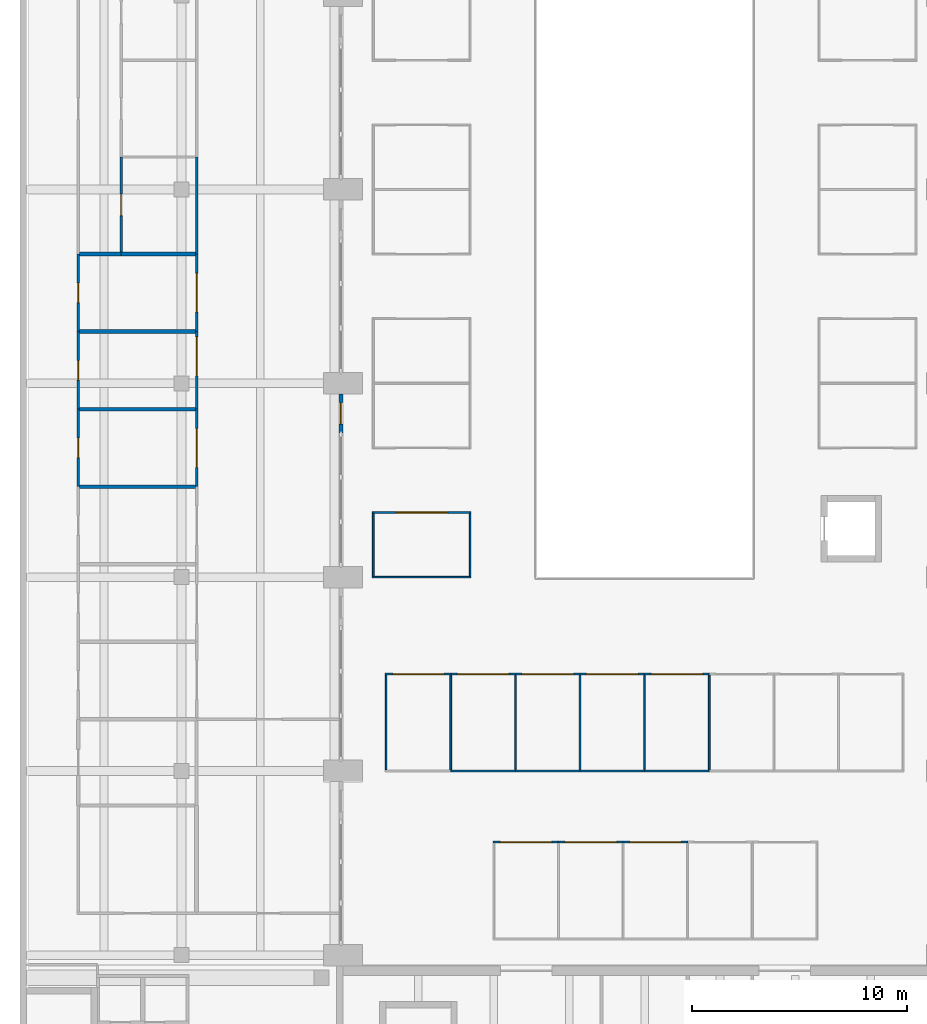
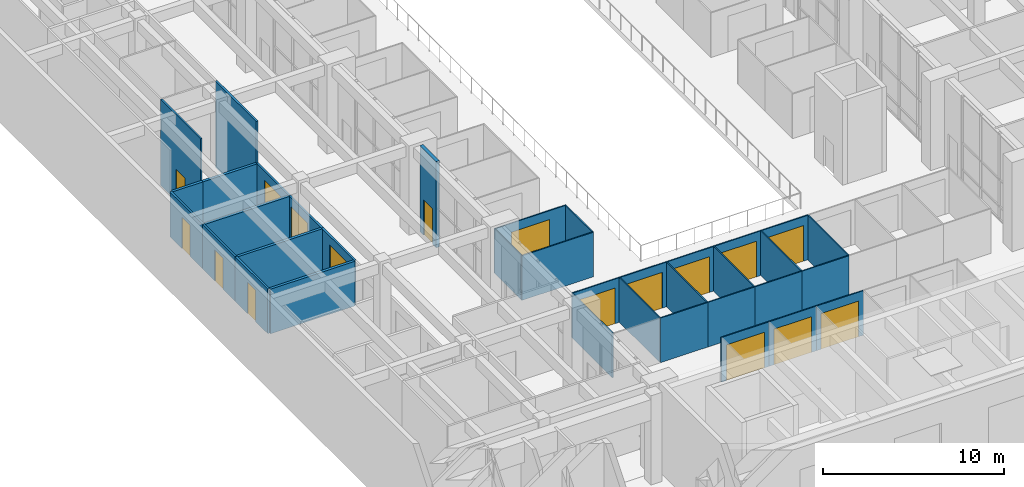
# One storey, part 31 of 51: 36 walls, 17 doors, 17 openings.
"""IFC4 building model written with IfcOpenShell, lengths in metres."""

from ifc_helpers import new_model, si_unit, direction, frame, frame_2d, origin, place, context, subcontext, project, spatial, rectangle, extrude, material, layer, layer_set, type_object, element, fill, save


model = new_model("IFC4")

# Units and contexts
model_context = context("Model", 3, precision=1e-05, world=origin(), true_north=direction((0.0, 1.0)))
body_context = subcontext(model_context, "Body", "Model", "MODEL_VIEW")
ifc_project = project(units=[si_unit("LENGTHUNIT", "METRE"), si_unit("AREAUNIT", "SQUARE_METRE"), si_unit("VOLUMEUNIT", "CUBIC_METRE"), si_unit("PLANEANGLEUNIT", "RADIAN"), si_unit("MASSUNIT", "GRAM", prefix="KILO")], contexts=[model_context])

# Site, building, storey
site_placement = place(None, origin())
site = spatial("IfcSite", under=ifc_project, at=site_placement, CompositionType="ELEMENT")
building_placement = place(site_placement, origin())
building = spatial("IfcBuilding", under=site, at=building_placement, Name="Elmora Arch Market Hall", CompositionType="ELEMENT")
storey_placement = place(building_placement, origin())
storey = spatial("IfcBuildingStorey", under=building, at=storey_placement, Name="L00", CompositionType="ELEMENT", Elevation=0.0)

# Wall, opening, door
ifc_material_1 = material(Name="Concrete C40/50", Category="concrete")
ifc_layer_1 = layer(ifc_material_1, 0.199951171875)
ifc_layer_set_1 = layer_set([ifc_layer_1], Name="Concrete C40/50")
wall_type_1 = type_object("IfcWallType", Name="Concrete shopfront pier 200", PredefinedType="PARTITIONING", material=ifc_layer_set_1)
wall_1_placement = place(storey_placement, frame((14.89990234375, 53.5, 0.0), z_axis=(0.0, 0.0, 1.0), x_axis=(0.0, -1.0, 0.0)))
wall_1 = element("IfcWall", 1, at=wall_1_placement, inside=storey, type_object=wall_type_1, Name="Shopfront pier W 3", PredefinedType="PARTITIONING", context=body_context, shape_type="SweptSolid", body=[
    extrude(rectangle(XDim=1.800048828125, YDim=0.199951171875, at=frame_2d((0.89990234375, 0.0))), origin(), (0.0, 0.0, 1.0), 5.800048828125),
])
opening_1_placement = place(wall_1_placement, frame((0.39990234375, 0.0, 0.0)))
opening_1 = element("IfcOpeningElement", 2, at=opening_1_placement, cuts=wall_1, Name="Opening SD-W03", PredefinedType="OPENING", context=body_context, shape_type="SweptSolid", body=[
    extrude(rectangle(XDim=1.0, YDim=2.39990234375, at=frame_2d((0.5, 1.199951171875))), frame((0.0, 0.10986328125, 0.0), z_axis=(0.0, -1.0, 0.0), x_axis=(1.0, 0.0, 0.0)), (0.0, 0.0, 1.0), 0.219970703125),
])
ifc_material_2 = material(Name="Glazed aluminium", Category="aluminium")
door_type_1 = type_object("IfcDoorType", Name="Shop door 1000x2400", OperationType="SINGLE_SWING_LEFT", PredefinedType="DOOR", material=ifc_material_2)
door_1_placement = place(opening_1_placement, frame((1.0, 0.0, 0.0), z_axis=(0.0, 0.0, 1.0), x_axis=(-1.0, 0.0, 0.0)))
door_1 = element("IfcDoor", 3, at=door_1_placement, inside=storey, type_object=door_type_1, Name="Shop door W03", OperationType="SINGLE_SWING_RIGHT", OverallHeight=2.39990234375, OverallWidth=1.0, PredefinedType="DOOR", context=body_context, shape_type="SweptSolid", body=[
    extrude(rectangle(XDim=1.0, YDim=2.39990234375, at=frame_2d((0.5, 1.199951171875))), frame((0.0, 0.02490234375, 0.0), z_axis=(0.0, -1.0, 0.0), x_axis=(1.0, 0.0, 0.0)), (0.0, 0.0, 1.0), 0.050048828125),
])
fill(opening_1, door_1)

ifc_material_3 = material(Name="Gypsum board on metal studs")
ifc_layer_2 = layer(ifc_material_3, 0.125)
ifc_layer_set_2 = layer_set([ifc_layer_2], Name="Gypsum board on metal studs")
wall_type_2 = type_object("IfcWallType", Name="Enclosure partition 125 (3.0 m) EI 60", PredefinedType="PARTITIONING", material=ifc_layer_set_2)
wall_2_placement = place(storey_placement, frame((2.699951171875, 49.199951171875, 0.0), z_axis=(0.0, 0.0, 1.0), x_axis=(0.0, 1.0, 0.0)))
wall_2 = element("IfcWall", 4, at=wall_2_placement, inside=storey, type_object=wall_type_2, Name="Partition PT-L00-135", PredefinedType="PARTITIONING", context=body_context, shape_type="SweptSolid", body=[
    extrude(rectangle(XDim=3.60009765625, YDim=0.125, at=frame_2d((1.800048828125, 0.0))), origin(), (0.0, 0.0, 1.0), 3.0),
])
opening_2_placement = place(wall_2_placement, frame((1.35009765625, 0.0, 0.0)))
opening_2 = element("IfcOpeningElement", 5, at=opening_2_placement, cuts=wall_2, Name="Opening D-L00-035", PredefinedType="OPENING", context=body_context, shape_type="SweptSolid", body=[
    extrude(rectangle(XDim=0.89990234375, YDim=2.10009765625, at=frame_2d((0.449951171875, 1.050048828125))), frame((0.0, 0.072509765625, 0.0), z_axis=(0.0, -1.0, 0.0), x_axis=(1.0, 0.0, 0.0)), (0.0, 0.0, 1.0), 0.14501953125),
])
ifc_material_4 = material(Name="Steel ASTM A653 galvanised", Category="steel")
door_type_2 = type_object("IfcDoorType", Name="Door 900 x 2100 FD45", OperationType="SINGLE_SWING_LEFT", PredefinedType="DOOR", material=ifc_material_4)
door_2_placement = place(opening_2_placement, frame((0.89990234375, 0.0, 0.0), z_axis=(0.0, 0.0, 1.0), x_axis=(-1.0, 0.0, 0.0)))
door_2 = element("IfcDoor", 6, at=door_2_placement, inside=storey, type_object=door_type_2, Name="D-L00-035", OperationType="SINGLE_SWING_RIGHT", OverallHeight=2.10009765625, OverallWidth=0.89990234375, PredefinedType="DOOR", context=body_context, shape_type="SweptSolid", body=[
    extrude(rectangle(XDim=0.89990234375, YDim=2.10009765625, at=frame_2d((0.449951171875, 1.050048828125))), frame((0.0, 0.02490234375, 0.0), z_axis=(0.0, -1.0, 0.0), x_axis=(1.0, 0.0, 0.0)), (0.0, 0.0, 1.0), 0.050048828125),
])
fill(opening_2, door_2)

wall_3_placement = place(storey_placement, frame((2.699951171875, 52.800048828125, 0.0), z_axis=(0.0, 0.0, 1.0), x_axis=(0.0, 1.0, 0.0)))
wall_3 = element("IfcWall", 7, at=wall_3_placement, inside=storey, type_object=wall_type_2, Name="Partition PT-L00-136", PredefinedType="PARTITIONING", context=body_context, shape_type="SweptSolid", body=[
    extrude(rectangle(XDim=3.599853515625, YDim=0.125, at=frame_2d((1.7998046875, 0.0))), origin(), (0.0, 0.0, 1.0), 3.0),
])
opening_3_placement = place(wall_3_placement, frame((1.35009765625, 0.0, 0.0)))
opening_3 = element("IfcOpeningElement", 8, at=opening_3_placement, cuts=wall_3, Name="Opening D-L00-040", PredefinedType="OPENING", context=body_context, shape_type="SweptSolid", body=[
    extrude(rectangle(XDim=0.89990234375, YDim=2.10009765625, at=frame_2d((0.449951171875, 1.050048828125))), frame((0.0, 0.072509765625, 0.0), z_axis=(0.0, -1.0, 0.0), x_axis=(1.0, 0.0, 0.0)), (0.0, 0.0, 1.0), 0.14501953125),
])
door_3_placement = place(opening_3_placement, frame((0.89990234375, 0.0, 0.0), z_axis=(0.0, 0.0, 1.0), x_axis=(-1.0, 0.0, 0.0)))
door_3 = element("IfcDoor", 9, at=door_3_placement, inside=storey, type_object=door_type_2, Name="D-L00-040", OperationType="SINGLE_SWING_RIGHT", OverallHeight=2.10009765625, OverallWidth=0.89990234375, PredefinedType="DOOR", context=body_context, shape_type="SweptSolid", body=[
    extrude(rectangle(XDim=0.89990234375, YDim=2.10009765625, at=frame_2d((0.449951171875, 1.050048828125))), frame((0.0, 0.02490234375, 0.0), z_axis=(0.0, -1.0, 0.0), x_axis=(1.0, 0.0, 0.0)), (0.0, 0.0, 1.0), 0.050048828125),
])
fill(opening_3, door_3)

wall_4_placement = place(storey_placement, frame((2.699951171875, 56.39990234375, 0.0), z_axis=(0.0, 0.0, 1.0), x_axis=(0.0, 1.0, 0.0)))
wall_4 = element("IfcWall", 10, at=wall_4_placement, inside=storey, type_object=wall_type_2, Name="Partition PT-L00-137", PredefinedType="PARTITIONING", context=body_context, shape_type="SweptSolid", body=[
    extrude(rectangle(XDim=3.60009765625, YDim=0.125, at=frame_2d((1.800048828125, 0.0))), origin(), (0.0, 0.0, 1.0), 3.0),
])
opening_4_placement = place(wall_4_placement, frame((1.35009765625, 0.0, 0.0)))
opening_4 = element("IfcOpeningElement", 11, at=opening_4_placement, cuts=wall_4, Name="Opening D-L00-044", PredefinedType="OPENING", context=body_context, shape_type="SweptSolid", body=[
    extrude(rectangle(XDim=0.89990234375, YDim=2.10009765625, at=frame_2d((0.449951171875, 1.050048828125))), frame((0.0, 0.072509765625, 0.0), z_axis=(0.0, -1.0, 0.0), x_axis=(1.0, 0.0, 0.0)), (0.0, 0.0, 1.0), 0.14501953125),
])
door_4_placement = place(opening_4_placement, frame((0.89990234375, 0.0, 0.0), z_axis=(0.0, 0.0, 1.0), x_axis=(-1.0, 0.0, 0.0)))
door_4 = element("IfcDoor", 12, at=door_4_placement, inside=storey, type_object=door_type_2, Name="D-L00-044", OperationType="SINGLE_SWING_RIGHT", OverallHeight=2.10009765625, OverallWidth=0.89990234375, PredefinedType="DOOR", context=body_context, shape_type="SweptSolid", body=[
    extrude(rectangle(XDim=0.89990234375, YDim=2.10009765625, at=frame_2d((0.449951171875, 1.050048828125))), frame((0.0, 0.02490234375, 0.0), z_axis=(0.0, -1.0, 0.0), x_axis=(1.0, 0.0, 0.0)), (0.0, 0.0, 1.0), 0.050048828125),
])
fill(opening_4, door_4)

wall_5_placement = place(storey_placement, frame((8.199951171875, 49.199951171875, 0.0), z_axis=(0.0, 0.0, 1.0), x_axis=(0.0, 1.0, 0.0)))
wall_5 = element("IfcWall", 13, at=wall_5_placement, inside=storey, type_object=wall_type_2, Name="Partition PT-L00-154", PredefinedType="PARTITIONING", context=body_context, shape_type="SweptSolid", body=[
    extrude(rectangle(XDim=3.60009765625, YDim=0.125, at=frame_2d((1.800048828125, 0.0))), origin(), (0.0, 0.0, 1.0), 3.0),
])
opening_5_placement = place(wall_5_placement, frame((0.89990234375, 0.0, 0.0)))
opening_5 = element("IfcOpeningElement", 14, at=opening_5_placement, cuts=wall_5, Name="Opening D-L00-036", PredefinedType="OPENING", context=body_context, shape_type="SweptSolid", body=[
    extrude(rectangle(XDim=1.800048828125, YDim=2.39990234375, at=frame_2d((0.89990234375, 1.199951171875))), frame((0.0, 0.072509765625, 0.0), z_axis=(0.0, -1.0, 0.0), x_axis=(1.0, 0.0, 0.0)), (0.0, 0.0, 1.0), 0.14501953125),
])
ifc_material_5 = material(Name="Aluminium roller shutter", Category="aluminium")
door_type_3 = type_object("IfcDoorType", Name="Roller shutter 1800 x 2400", OperationType="ROLLINGUP", PredefinedType="DOOR", material=ifc_material_5)
door_5_placement = place(opening_5_placement, origin())
door_5 = element("IfcDoor", 15, at=door_5_placement, inside=storey, type_object=door_type_3, Name="D-L00-036", OperationType="ROLLINGUP", OverallHeight=2.39990234375, OverallWidth=1.800048828125, PredefinedType="DOOR", context=body_context, shape_type="SweptSolid", body=[
    extrude(rectangle(XDim=1.800048828125, YDim=2.39990234375, at=frame_2d((0.89990234375, 1.199951171875))), frame((0.0, 0.02490234375, 0.0), z_axis=(0.0, -1.0, 0.0), x_axis=(1.0, 0.0, 0.0)), (0.0, 0.0, 1.0), 0.050048828125),
])
fill(opening_5, door_5)

wall_6_placement = place(storey_placement, frame((8.199951171875, 52.800048828125, 0.0), z_axis=(0.0, 0.0, 1.0), x_axis=(0.0, 1.0, 0.0)))
wall_6 = element("IfcWall", 16, at=wall_6_placement, inside=storey, type_object=wall_type_2, Name="Partition PT-L00-155", PredefinedType="PARTITIONING", context=body_context, shape_type="SweptSolid", body=[
    extrude(rectangle(XDim=3.599853515625, YDim=0.125, at=frame_2d((1.7998046875, 0.0))), origin(), (0.0, 0.0, 1.0), 3.0),
])
opening_6_placement = place(wall_6_placement, frame((1.550048828125, 0.0, 0.0)))
opening_6 = element("IfcOpeningElement", 17, at=opening_6_placement, cuts=wall_6, Name="Opening D-L00-041", PredefinedType="OPENING", context=body_context, shape_type="SweptSolid", body=[
    extrude(rectangle(XDim=1.800048828125, YDim=2.39990234375, at=frame_2d((0.89990234375, 1.199951171875))), frame((0.0, 0.072509765625, 0.0), z_axis=(0.0, -1.0, 0.0), x_axis=(1.0, 0.0, 0.0)), (0.0, 0.0, 1.0), 0.14501953125),
])
door_6_placement = place(opening_6_placement, origin())
door_6 = element("IfcDoor", 18, at=door_6_placement, inside=storey, type_object=door_type_3, Name="D-L00-041", OperationType="ROLLINGUP", OverallHeight=2.39990234375, OverallWidth=1.800048828125, PredefinedType="DOOR", context=body_context, shape_type="SweptSolid", body=[
    extrude(rectangle(XDim=1.800048828125, YDim=2.39990234375, at=frame_2d((0.89990234375, 1.199951171875))), frame((0.0, 0.02490234375, 0.0), z_axis=(0.0, -1.0, 0.0), x_axis=(1.0, 0.0, 0.0)), (0.0, 0.0, 1.0), 0.050048828125),
])
fill(opening_6, door_6)

wall_7_placement = place(storey_placement, frame((8.199951171875, 56.39990234375, 0.0), z_axis=(0.0, 0.0, 1.0), x_axis=(0.0, 1.0, 0.0)))
wall_7 = element("IfcWall", 19, at=wall_7_placement, inside=storey, type_object=wall_type_2, Name="Partition PT-L00-156", PredefinedType="PARTITIONING", context=body_context, shape_type="SweptSolid", body=[
    extrude(rectangle(XDim=3.60009765625, YDim=0.125, at=frame_2d((1.800048828125, 0.0))), origin(), (0.0, 0.0, 1.0), 3.0),
])
opening_7_placement = place(wall_7_placement, frame((0.89990234375, 0.0, 0.0)))
opening_7 = element("IfcOpeningElement", 20, at=opening_7_placement, cuts=wall_7, Name="Opening D-L00-045", PredefinedType="OPENING", context=body_context, shape_type="SweptSolid", body=[
    extrude(rectangle(XDim=1.800048828125, YDim=2.39990234375, at=frame_2d((0.89990234375, 1.199951171875))), frame((0.0, 0.072509765625, 0.0), z_axis=(0.0, -1.0, 0.0), x_axis=(1.0, 0.0, 0.0)), (0.0, 0.0, 1.0), 0.14501953125),
])
door_7_placement = place(opening_7_placement, origin())
door_7 = element("IfcDoor", 21, at=door_7_placement, inside=storey, type_object=door_type_3, Name="D-L00-045", OperationType="ROLLINGUP", OverallHeight=2.39990234375, OverallWidth=1.800048828125, PredefinedType="DOOR", context=body_context, shape_type="SweptSolid", body=[
    extrude(rectangle(XDim=1.800048828125, YDim=2.39990234375, at=frame_2d((0.89990234375, 1.199951171875))), frame((0.0, 0.02490234375, 0.0), z_axis=(0.0, -1.0, 0.0), x_axis=(1.0, 0.0, 0.0)), (0.0, 0.0, 1.0), 0.050048828125),
])
fill(opening_7, door_7)

# Walls
ifc_material_6 = material(Name="Gypsum board on metal studs")
ifc_layer_3 = layer(ifc_material_6, 0.175048828125)
ifc_layer_set_3 = layer_set([ifc_layer_3], Name="Gypsum board on metal studs")
wall_type_3 = type_object("IfcWallType", Name="Enclosure partition 175 (3.0 m) EI 60", PredefinedType="PARTITIONING", material=ifc_layer_set_3)
for number, where, z_axis, x_axis, name in (
    (22, (2.762451171875, 49.199951171875, 0.0), (0.0, 0.0, 1.0), (1.0, 0.0, 0.0), "Partition PT-L00-044"),
    (23, (2.762451171875, 52.800048828125, 0.0), (0.0, 0.0, 1.0), (1.0, 0.0, 0.0), "Partition PT-L00-047"),
    (24, (2.762451171875, 56.39990234375, 0.0), (0.0, 0.0, 1.0), (1.0, 0.0, 0.0), "Partition PT-L00-050"),
):
    element("IfcWall", number, at=place(storey_placement, frame(where, z_axis=z_axis, x_axis=x_axis)), inside=storey, type_object=wall_type_3, Name=name, PredefinedType="PARTITIONING", context=body_context, shape_type="SweptSolid", body=[
        extrude(rectangle(XDim=5.375, YDim=0.175048828125, at=frame_2d((2.6875, 0.0))), origin(), (0.0, 0.0, 1.0), 3.0),
    ])
wall_8_placement = place(storey_placement, frame((2.762451171875, 60.0, 0.0), z_axis=(0.0, 0.0, 1.0), x_axis=(1.0, 0.0, 0.0)))
element("IfcWall", 25, at=wall_8_placement, inside=storey, type_object=wall_type_3, Name="Partition PT-L00-054", PredefinedType="PARTITIONING", context=body_context, shape_type="SweptSolid", body=[
    extrude(rectangle(XDim=1.9375, YDim=0.175048828125, at=frame_2d((0.96875, 0.0))), origin(), (0.0, 0.0, 1.0), 3.0),
])
wall_9_placement = place(storey_placement, frame((4.699951171875, 60.0, 0.0), z_axis=(0.0, 0.0, 1.0), x_axis=(1.0, 0.0, 0.0)))
element("IfcWall", 26, at=wall_9_placement, inside=storey, type_object=wall_type_3, Name="Partition PT-L00-055", PredefinedType="PARTITIONING", context=body_context, shape_type="SweptSolid", body=[
    extrude(rectangle(XDim=3.4375, YDim=0.175048828125, at=frame_2d((1.71875, 0.0))), origin(), (0.0, 0.0, 1.0), 3.0),
])

# Wall, opening, door
ifc_material_7 = material(Name="Gypsum board on metal studs")
ifc_layer_4 = layer(ifc_material_7, 0.10009765625)
ifc_layer_set_4 = layer_set([ifc_layer_4], Name="Gypsum board on metal studs")
wall_type_4 = type_object("IfcWallType", Name="Partition 100", PredefinedType="PARTITIONING", material=ifc_layer_set_4)
wall_10_placement = place(storey_placement, frame((4.699951171875, 60.08740234375, 0.0), z_axis=(0.0, 0.0, 1.0), x_axis=(0.0, 1.0, 0.0)))
wall_10 = element("IfcWall", 27, at=wall_10_placement, inside=storey, type_object=wall_type_4, Name="Partition PT-L00-145", PredefinedType="PARTITIONING", context=body_context, shape_type="SweptSolid", body=[
    extrude(rectangle(XDim=4.41259765625, YDim=0.10009765625, at=frame_2d((2.206298828125, 0.0))), origin(), (0.0, 0.0, 1.0), 5.800048828125),
])
opening_8_placement = place(wall_10_placement, frame((1.699951171875, 0.0, 0.0)))
opening_8 = element("IfcOpeningElement", 28, at=opening_8_placement, cuts=wall_10, Name="Opening D-L00-049", PredefinedType="OPENING", context=body_context, shape_type="SweptSolid", body=[
    extrude(rectangle(XDim=1.0, YDim=2.10009765625, at=frame_2d((0.5, 1.050048828125))), frame((0.0, 0.06005859375, 0.0), z_axis=(0.0, -1.0, 0.0), x_axis=(1.0, 0.0, 0.0)), (0.0, 0.0, 1.0), 0.1201171875),
])
ifc_material_8 = material(Name="Timber door set", Category="wood")
door_type_4 = type_object("IfcDoorType", Name="Door 1000 x 2100", OperationType="SINGLE_SWING_LEFT", PredefinedType="DOOR", material=ifc_material_8)
door_8_placement = place(opening_8_placement, frame((1.0, 0.0, 0.0), z_axis=(0.0, 0.0, 1.0), x_axis=(-1.0, 0.0, 0.0)))
door_8 = element("IfcDoor", 29, at=door_8_placement, inside=storey, type_object=door_type_4, Name="D-L00-049", OperationType="SINGLE_SWING_LEFT", OverallHeight=2.10009765625, OverallWidth=1.0, PredefinedType="DOOR", context=body_context, shape_type="SweptSolid", body=[
    extrude(rectangle(XDim=1.0, YDim=2.10009765625, at=frame_2d((0.5, 1.050048828125))), frame((0.0, 0.02490234375, 0.0), z_axis=(0.0, -1.0, 0.0), x_axis=(1.0, 0.0, 0.0)), (0.0, 0.0, 1.0), 0.050048828125),
])
fill(opening_8, door_8)

# Wall
ifc_material_9 = material(Name="Gypsum board on metal studs")
ifc_layer_5 = layer(ifc_material_9, 0.125)
ifc_layer_set_5 = layer_set([ifc_layer_5], Name="Gypsum board on metal studs")
wall_type_5 = type_object("IfcWallType", Name="Partition 125 EI 60", PredefinedType="PARTITIONING", material=ifc_layer_set_5)
wall_11_placement = place(storey_placement, frame((8.199951171875, 60.0, 0.0), z_axis=(0.0, 0.0, 1.0), x_axis=(0.0, 1.0, 0.0)))
element("IfcWall", 30, at=wall_11_placement, inside=storey, type_object=wall_type_5, Name="Partition PT-L00-157", PredefinedType="PARTITIONING", context=body_context, shape_type="SweptSolid", body=[
    extrude(rectangle(XDim=4.5, YDim=0.125, at=frame_2d((2.25, 0.0))), origin(), (0.0, 0.0, 1.0), 5.800048828125),
])

# Wall, opening, door
ifc_material_10 = material(Name="Gypsum board on metal studs")
ifc_layer_6 = layer(ifc_material_10, 0.074951171875)
ifc_layer_set_6 = layer_set([ifc_layer_6], Name="Gypsum board on metal studs")
wall_type_6 = type_object("IfcWallType", Name="Stall partition 75 (3.0 m)", PredefinedType="PARTITIONING", material=ifc_layer_set_6)
wall_12_placement = place(storey_placement, frame((21.96240234375, 32.699951171875, 0.0), z_axis=(0.0, 0.0, 1.0), x_axis=(1.0, 0.0, 0.0)))
wall_12 = element("IfcWall", 31, at=wall_12_placement, inside=storey, type_object=wall_type_6, Name="Partition PT-L00-013", PredefinedType="PARTITIONING", context=body_context, shape_type="SweptSolid", body=[
    extrude(rectangle(XDim=3.03759765625, YDim=0.074951171875, at=frame_2d((1.518798828125, 0.0))), origin(), (0.0, 0.0, 1.0), 3.0),
])
opening_9_placement = place(wall_12_placement, frame((0.33740234375, 0.0, 0.0)))
opening_9 = element("IfcOpeningElement", 32, at=opening_9_placement, cuts=wall_12, Name="Opening D-L00-012", PredefinedType="OPENING", context=body_context, shape_type="SweptSolid", body=[
    extrude(rectangle(XDim=2.39990234375, YDim=2.39990234375, at=frame_2d((1.199951171875, 1.199951171875))), frame((0.0, 0.04736328125, 0.0), z_axis=(0.0, -1.0, 0.0), x_axis=(1.0, 0.0, 0.0)), (0.0, 0.0, 1.0), 0.094970703125),
])
ifc_material_11 = material(Name="Aluminium roller shutter", Category="aluminium")
door_type_5 = type_object("IfcDoorType", Name="Roller shutter 2400 x 2400", OperationType="ROLLINGUP", PredefinedType="DOOR", material=ifc_material_11)
door_9_placement = place(opening_9_placement, origin())
door_9 = element("IfcDoor", 33, at=door_9_placement, inside=storey, type_object=door_type_5, Name="D-L00-012", OperationType="ROLLINGUP", OverallHeight=2.39990234375, OverallWidth=2.39990234375, PredefinedType="DOOR", context=body_context, shape_type="SweptSolid", body=[
    extrude(rectangle(XDim=2.39990234375, YDim=2.39990234375, at=frame_2d((1.199951171875, 1.199951171875))), frame((0.0, 0.02490234375, 0.0), z_axis=(0.0, -1.0, 0.0), x_axis=(1.0, 0.0, 0.0)), (0.0, 0.0, 1.0), 0.050048828125),
])
fill(opening_9, door_9)

wall_13_placement = place(storey_placement, frame((25.0, 32.699951171875, 0.0), z_axis=(0.0, 0.0, 1.0), x_axis=(1.0, 0.0, 0.0)))
wall_13 = element("IfcWall", 34, at=wall_13_placement, inside=storey, type_object=wall_type_6, Name="Partition PT-L00-014", PredefinedType="PARTITIONING", context=body_context, shape_type="SweptSolid", body=[
    extrude(rectangle(XDim=3.0, YDim=0.074951171875, at=frame_2d((1.5, 0.0))), origin(), (0.0, 0.0, 1.0), 3.0),
])
opening_10_placement = place(wall_13_placement, frame((0.300048828125, 0.0, 0.0)))
opening_10 = element("IfcOpeningElement", 35, at=opening_10_placement, cuts=wall_13, Name="Opening D-L00-013", PredefinedType="OPENING", context=body_context, shape_type="SweptSolid", body=[
    extrude(rectangle(XDim=2.39990234375, YDim=2.39990234375, at=frame_2d((1.199951171875, 1.199951171875))), frame((0.0, 0.04736328125, 0.0), z_axis=(0.0, -1.0, 0.0), x_axis=(1.0, 0.0, 0.0)), (0.0, 0.0, 1.0), 0.094970703125),
])
door_10_placement = place(opening_10_placement, origin())
door_10 = element("IfcDoor", 36, at=door_10_placement, inside=storey, type_object=door_type_5, Name="D-L00-013", OperationType="ROLLINGUP", OverallHeight=2.39990234375, OverallWidth=2.39990234375, PredefinedType="DOOR", context=body_context, shape_type="SweptSolid", body=[
    extrude(rectangle(XDim=2.39990234375, YDim=2.39990234375, at=frame_2d((1.199951171875, 1.199951171875))), frame((0.0, 0.02490234375, 0.0), z_axis=(0.0, -1.0, 0.0), x_axis=(1.0, 0.0, 0.0)), (0.0, 0.0, 1.0), 0.050048828125),
])
fill(opening_10, door_10)

wall_14_placement = place(storey_placement, frame((28.0, 32.699951171875, 0.0), z_axis=(0.0, 0.0, 1.0), x_axis=(1.0, 0.0, 0.0)))
wall_14 = element("IfcWall", 37, at=wall_14_placement, inside=storey, type_object=wall_type_6, Name="Partition PT-L00-015", PredefinedType="PARTITIONING", context=body_context, shape_type="SweptSolid", body=[
    extrude(rectangle(XDim=3.0, YDim=0.074951171875, at=frame_2d((1.5, 0.0))), origin(), (0.0, 0.0, 1.0), 3.0),
])
opening_11_placement = place(wall_14_placement, frame((0.300048828125, 0.0, 0.0)))
opening_11 = element("IfcOpeningElement", 38, at=opening_11_placement, cuts=wall_14, Name="Opening D-L00-014", PredefinedType="OPENING", context=body_context, shape_type="SweptSolid", body=[
    extrude(rectangle(XDim=2.39990234375, YDim=2.39990234375, at=frame_2d((1.199951171875, 1.199951171875))), frame((0.0, 0.04736328125, 0.0), z_axis=(0.0, -1.0, 0.0), x_axis=(1.0, 0.0, 0.0)), (0.0, 0.0, 1.0), 0.094970703125),
])
door_11_placement = place(opening_11_placement, origin())
door_11 = element("IfcDoor", 39, at=door_11_placement, inside=storey, type_object=door_type_5, Name="D-L00-014", OperationType="ROLLINGUP", OverallHeight=2.39990234375, OverallWidth=2.39990234375, PredefinedType="DOOR", context=body_context, shape_type="SweptSolid", body=[
    extrude(rectangle(XDim=2.39990234375, YDim=2.39990234375, at=frame_2d((1.199951171875, 1.199951171875))), frame((0.0, 0.02490234375, 0.0), z_axis=(0.0, -1.0, 0.0), x_axis=(1.0, 0.0, 0.0)), (0.0, 0.0, 1.0), 0.050048828125),
])
fill(opening_11, door_11)

# Walls
for number, where, z_axis, x_axis, name in (
    (40, (20.0, 36.0, 0.0), (0.0, 0.0, 1.0), (1.0, 0.0, 0.0), "Partition PT-L00-020"),
    (41, (23.0, 36.0, 0.0), (0.0, 0.0, 1.0), (1.0, 0.0, 0.0), "Partition PT-L00-021"),
    (42, (26.0, 36.0, 0.0), (0.0, 0.0, 1.0), (1.0, 0.0, 0.0), "Partition PT-L00-022"),
    (43, (29.0, 36.0, 0.0), (0.0, 0.0, 1.0), (1.0, 0.0, 0.0), "Partition PT-L00-023"),
):
    element("IfcWall", number, at=place(storey_placement, frame(where, z_axis=z_axis, x_axis=x_axis)), inside=storey, type_object=wall_type_6, Name=name, PredefinedType="PARTITIONING", context=body_context, shape_type="SweptSolid", body=[
        extrude(rectangle(XDim=3.0, YDim=0.074951171875, at=frame_2d((1.5, 0.0))), origin(), (0.0, 0.0, 1.0), 3.0),
    ])

# Wall, opening, door
wall_15_placement = place(storey_placement, frame((16.96240234375, 40.5, 0.0), z_axis=(0.0, 0.0, 1.0), x_axis=(1.0, 0.0, 0.0)))
wall_15 = element("IfcWall", 44, at=wall_15_placement, inside=storey, type_object=wall_type_6, Name="Partition PT-L00-030", PredefinedType="PARTITIONING", context=body_context, shape_type="SweptSolid", body=[
    extrude(rectangle(XDim=3.03759765625, YDim=0.074951171875, at=frame_2d((1.518798828125, 0.0))), origin(), (0.0, 0.0, 1.0), 3.0),
])
opening_12_placement = place(wall_15_placement, frame((0.33740234375, 0.0, 0.0)))
opening_12 = element("IfcOpeningElement", 45, at=opening_12_placement, cuts=wall_15, Name="Opening D-L00-021", PredefinedType="OPENING", context=body_context, shape_type="SweptSolid", body=[
    extrude(rectangle(XDim=2.39990234375, YDim=2.39990234375, at=frame_2d((1.199951171875, 1.199951171875))), frame((0.0, 0.04736328125, 0.0), z_axis=(0.0, -1.0, 0.0), x_axis=(1.0, 0.0, 0.0)), (0.0, 0.0, 1.0), 0.094970703125),
])
door_12_placement = place(opening_12_placement, origin())
door_12 = element("IfcDoor", 46, at=door_12_placement, inside=storey, type_object=door_type_5, Name="D-L00-021", OperationType="ROLLINGUP", OverallHeight=2.39990234375, OverallWidth=2.39990234375, PredefinedType="DOOR", context=body_context, shape_type="SweptSolid", body=[
    extrude(rectangle(XDim=2.39990234375, YDim=2.39990234375, at=frame_2d((1.199951171875, 1.199951171875))), frame((0.0, 0.02490234375, 0.0), z_axis=(0.0, -1.0, 0.0), x_axis=(1.0, 0.0, 0.0)), (0.0, 0.0, 1.0), 0.050048828125),
])
fill(opening_12, door_12)

wall_16_placement = place(storey_placement, frame((20.0, 40.5, 0.0), z_axis=(0.0, 0.0, 1.0), x_axis=(1.0, 0.0, 0.0)))
wall_16 = element("IfcWall", 47, at=wall_16_placement, inside=storey, type_object=wall_type_6, Name="Partition PT-L00-031", PredefinedType="PARTITIONING", context=body_context, shape_type="SweptSolid", body=[
    extrude(rectangle(XDim=3.0, YDim=0.074951171875, at=frame_2d((1.5, 0.0))), origin(), (0.0, 0.0, 1.0), 3.0),
])
opening_13_placement = place(wall_16_placement, frame((0.300048828125, 0.0, 0.0)))
opening_13 = element("IfcOpeningElement", 48, at=opening_13_placement, cuts=wall_16, Name="Opening D-L00-022", PredefinedType="OPENING", context=body_context, shape_type="SweptSolid", body=[
    extrude(rectangle(XDim=2.39990234375, YDim=2.39990234375, at=frame_2d((1.199951171875, 1.199951171875))), frame((0.0, 0.04736328125, 0.0), z_axis=(0.0, -1.0, 0.0), x_axis=(1.0, 0.0, 0.0)), (0.0, 0.0, 1.0), 0.094970703125),
])
door_13_placement = place(opening_13_placement, origin())
door_13 = element("IfcDoor", 49, at=door_13_placement, inside=storey, type_object=door_type_5, Name="D-L00-022", OperationType="ROLLINGUP", OverallHeight=2.39990234375, OverallWidth=2.39990234375, PredefinedType="DOOR", context=body_context, shape_type="SweptSolid", body=[
    extrude(rectangle(XDim=2.39990234375, YDim=2.39990234375, at=frame_2d((1.199951171875, 1.199951171875))), frame((0.0, 0.02490234375, 0.0), z_axis=(0.0, -1.0, 0.0), x_axis=(1.0, 0.0, 0.0)), (0.0, 0.0, 1.0), 0.050048828125),
])
fill(opening_13, door_13)

wall_17_placement = place(storey_placement, frame((23.0, 40.5, 0.0), z_axis=(0.0, 0.0, 1.0), x_axis=(1.0, 0.0, 0.0)))
wall_17 = element("IfcWall", 50, at=wall_17_placement, inside=storey, type_object=wall_type_6, Name="Partition PT-L00-032", PredefinedType="PARTITIONING", context=body_context, shape_type="SweptSolid", body=[
    extrude(rectangle(XDim=3.0, YDim=0.074951171875, at=frame_2d((1.5, 0.0))), origin(), (0.0, 0.0, 1.0), 3.0),
])
opening_14_placement = place(wall_17_placement, frame((0.300048828125, 0.0, 0.0)))
opening_14 = element("IfcOpeningElement", 51, at=opening_14_placement, cuts=wall_17, Name="Opening D-L00-023", PredefinedType="OPENING", context=body_context, shape_type="SweptSolid", body=[
    extrude(rectangle(XDim=2.39990234375, YDim=2.39990234375, at=frame_2d((1.199951171875, 1.199951171875))), frame((0.0, 0.04736328125, 0.0), z_axis=(0.0, -1.0, 0.0), x_axis=(1.0, 0.0, 0.0)), (0.0, 0.0, 1.0), 0.094970703125),
])
door_14_placement = place(opening_14_placement, origin())
door_14 = element("IfcDoor", 52, at=door_14_placement, inside=storey, type_object=door_type_5, Name="D-L00-023", OperationType="ROLLINGUP", OverallHeight=2.39990234375, OverallWidth=2.39990234375, PredefinedType="DOOR", context=body_context, shape_type="SweptSolid", body=[
    extrude(rectangle(XDim=2.39990234375, YDim=2.39990234375, at=frame_2d((1.199951171875, 1.199951171875))), frame((0.0, 0.02490234375, 0.0), z_axis=(0.0, -1.0, 0.0), x_axis=(1.0, 0.0, 0.0)), (0.0, 0.0, 1.0), 0.050048828125),
])
fill(opening_14, door_14)

wall_18_placement = place(storey_placement, frame((26.0, 40.5, 0.0), z_axis=(0.0, 0.0, 1.0), x_axis=(1.0, 0.0, 0.0)))
wall_18 = element("IfcWall", 53, at=wall_18_placement, inside=storey, type_object=wall_type_6, Name="Partition PT-L00-033", PredefinedType="PARTITIONING", context=body_context, shape_type="SweptSolid", body=[
    extrude(rectangle(XDim=3.0, YDim=0.074951171875, at=frame_2d((1.5, 0.0))), origin(), (0.0, 0.0, 1.0), 3.0),
])
opening_15_placement = place(wall_18_placement, frame((0.300048828125, 0.0, 0.0)))
opening_15 = element("IfcOpeningElement", 54, at=opening_15_placement, cuts=wall_18, Name="Opening D-L00-024", PredefinedType="OPENING", context=body_context, shape_type="SweptSolid", body=[
    extrude(rectangle(XDim=2.39990234375, YDim=2.39990234375, at=frame_2d((1.199951171875, 1.199951171875))), frame((0.0, 0.04736328125, 0.0), z_axis=(0.0, -1.0, 0.0), x_axis=(1.0, 0.0, 0.0)), (0.0, 0.0, 1.0), 0.094970703125),
])
door_15_placement = place(opening_15_placement, origin())
door_15 = element("IfcDoor", 55, at=door_15_placement, inside=storey, type_object=door_type_5, Name="D-L00-024", OperationType="ROLLINGUP", OverallHeight=2.39990234375, OverallWidth=2.39990234375, PredefinedType="DOOR", context=body_context, shape_type="SweptSolid", body=[
    extrude(rectangle(XDim=2.39990234375, YDim=2.39990234375, at=frame_2d((1.199951171875, 1.199951171875))), frame((0.0, 0.02490234375, 0.0), z_axis=(0.0, -1.0, 0.0), x_axis=(1.0, 0.0, 0.0)), (0.0, 0.0, 1.0), 0.050048828125),
])
fill(opening_15, door_15)

wall_19_placement = place(storey_placement, frame((29.0, 40.5, 0.0), z_axis=(0.0, 0.0, 1.0), x_axis=(1.0, 0.0, 0.0)))
wall_19 = element("IfcWall", 56, at=wall_19_placement, inside=storey, type_object=wall_type_6, Name="Partition PT-L00-034", PredefinedType="PARTITIONING", context=body_context, shape_type="SweptSolid", body=[
    extrude(rectangle(XDim=3.0, YDim=0.074951171875, at=frame_2d((1.5, 0.0))), origin(), (0.0, 0.0, 1.0), 3.0),
])
opening_16_placement = place(wall_19_placement, frame((0.300048828125, 0.0, 0.0)))
opening_16 = element("IfcOpeningElement", 57, at=opening_16_placement, cuts=wall_19, Name="Opening D-L00-025", PredefinedType="OPENING", context=body_context, shape_type="SweptSolid", body=[
    extrude(rectangle(XDim=2.39990234375, YDim=2.39990234375, at=frame_2d((1.199951171875, 1.199951171875))), frame((0.0, 0.04736328125, 0.0), z_axis=(0.0, -1.0, 0.0), x_axis=(1.0, 0.0, 0.0)), (0.0, 0.0, 1.0), 0.094970703125),
])
door_16_placement = place(opening_16_placement, origin())
door_16 = element("IfcDoor", 58, at=door_16_placement, inside=storey, type_object=door_type_5, Name="D-L00-025", OperationType="ROLLINGUP", OverallHeight=2.39990234375, OverallWidth=2.39990234375, PredefinedType="DOOR", context=body_context, shape_type="SweptSolid", body=[
    extrude(rectangle(XDim=2.39990234375, YDim=2.39990234375, at=frame_2d((1.199951171875, 1.199951171875))), frame((0.0, 0.02490234375, 0.0), z_axis=(0.0, -1.0, 0.0), x_axis=(1.0, 0.0, 0.0)), (0.0, 0.0, 1.0), 0.050048828125),
])
fill(opening_16, door_16)

# Wall
wall_20_placement = place(storey_placement, frame((16.362548828125, 45.0, 0.0), z_axis=(0.0, 0.0, 1.0), x_axis=(1.0, 0.0, 0.0)))
element("IfcWall", 59, at=wall_20_placement, inside=storey, type_object=wall_type_6, Name="Partition PT-L00-039", PredefinedType="PARTITIONING", context=body_context, shape_type="SweptSolid", body=[
    extrude(rectangle(XDim=4.574951171875, YDim=0.074951171875, at=frame_2d((2.28759765625, 0.0))), origin(), (0.0, 0.0, 1.0), 3.0),
])

# Wall, opening, door
wall_21_placement = place(storey_placement, frame((16.362548828125, 48.0, 0.0), z_axis=(0.0, 0.0, 1.0), x_axis=(1.0, 0.0, 0.0)))
wall_21 = element("IfcWall", 60, at=wall_21_placement, inside=storey, type_object=wall_type_6, Name="Partition PT-L00-042", PredefinedType="PARTITIONING", context=body_context, shape_type="SweptSolid", body=[
    extrude(rectangle(XDim=4.574951171875, YDim=0.074951171875, at=frame_2d((2.28759765625, 0.0))), origin(), (0.0, 0.0, 1.0), 3.0),
])
opening_17_placement = place(wall_21_placement, frame((1.08740234375, 0.0, 0.0)))
opening_17 = element("IfcOpeningElement", 61, at=opening_17_placement, cuts=wall_21, Name="Opening D-L00-034", PredefinedType="OPENING", context=body_context, shape_type="SweptSolid", body=[
    extrude(rectangle(XDim=2.39990234375, YDim=2.39990234375, at=frame_2d((1.199951171875, 1.199951171875))), frame((0.0, 0.04736328125, 0.0), z_axis=(0.0, -1.0, 0.0), x_axis=(1.0, 0.0, 0.0)), (0.0, 0.0, 1.0), 0.094970703125),
])
door_17_placement = place(opening_17_placement, origin())
door_17 = element("IfcDoor", 62, at=door_17_placement, inside=storey, type_object=door_type_5, Name="D-L00-034", OperationType="ROLLINGUP", OverallHeight=2.39990234375, OverallWidth=2.39990234375, PredefinedType="DOOR", context=body_context, shape_type="SweptSolid", body=[
    extrude(rectangle(XDim=2.39990234375, YDim=2.39990234375, at=frame_2d((1.199951171875, 1.199951171875))), frame((0.0, 0.02490234375, 0.0), z_axis=(0.0, -1.0, 0.0), x_axis=(1.0, 0.0, 0.0)), (0.0, 0.0, 1.0), 0.050048828125),
])
fill(opening_17, door_17)

# Walls
wall_22_placement = place(storey_placement, frame((16.39990234375, 45.03759765625, 0.0), z_axis=(0.0, 0.0, 1.0), x_axis=(0.0, 1.0, 0.0)))
element("IfcWall", 63, at=wall_22_placement, inside=storey, type_object=wall_type_6, Name="Partition PT-L00-172", PredefinedType="PARTITIONING", context=body_context, shape_type="SweptSolid", body=[
    extrude(rectangle(XDim=2.9248046875, YDim=0.074951171875, at=frame_2d((1.46240234375, 0.0))), origin(), (0.0, 0.0, 1.0), 3.0),
])
for number, where, z_axis, x_axis, name in (
    (64, (17.0, 36.03759765625, 0.0), (0.0, 0.0, 1.0), (0.0, 1.0, 0.0), "Partition PT-L00-180"),
    (65, (20.0, 36.03759765625, 0.0), (0.0, 0.0, 1.0), (0.0, 1.0, 0.0), "Partition PT-L00-181"),
):
    element("IfcWall", number, at=place(storey_placement, frame(where, z_axis=z_axis, x_axis=x_axis)), inside=storey, type_object=wall_type_6, Name=name, PredefinedType="PARTITIONING", context=body_context, shape_type="SweptSolid", body=[
        extrude(rectangle(XDim=4.4248046875, YDim=0.074951171875, at=frame_2d((2.21240234375, 0.0))), origin(), (0.0, 0.0, 1.0), 3.0),
    ])
wall_23_placement = place(storey_placement, frame((20.89990234375, 45.03759765625, 0.0), z_axis=(0.0, 0.0, 1.0), x_axis=(0.0, 1.0, 0.0)))
element("IfcWall", 66, at=wall_23_placement, inside=storey, type_object=wall_type_6, Name="Partition PT-L00-182", PredefinedType="PARTITIONING", context=body_context, shape_type="SweptSolid", body=[
    extrude(rectangle(XDim=2.9248046875, YDim=0.074951171875, at=frame_2d((1.46240234375, 0.0))), origin(), (0.0, 0.0, 1.0), 3.0),
])
for number, where, z_axis, x_axis, name in (
    (67, (23.0, 36.03759765625, 0.0), (0.0, 0.0, 1.0), (0.0, 1.0, 0.0), "Partition PT-L00-191"),
    (68, (26.0, 36.03759765625, 0.0), (0.0, 0.0, 1.0), (0.0, 1.0, 0.0), "Partition PT-L00-194"),
    (69, (29.0, 36.03759765625, 0.0), (0.0, 0.0, 1.0), (0.0, 1.0, 0.0), "Partition PT-L00-197"),
    (70, (32.0, 36.03759765625, 0.0), (0.0, 0.0, 1.0), (0.0, 1.0, 0.0), "Partition PT-L00-201"),
):
    element("IfcWall", number, at=place(storey_placement, frame(where, z_axis=z_axis, x_axis=x_axis)), inside=storey, type_object=wall_type_6, Name=name, PredefinedType="PARTITIONING", context=body_context, shape_type="SweptSolid", body=[
        extrude(rectangle(XDim=4.4248046875, YDim=0.074951171875, at=frame_2d((2.21240234375, 0.0))), origin(), (0.0, 0.0, 1.0), 3.0),
    ])

save(model, "model.ifc")
